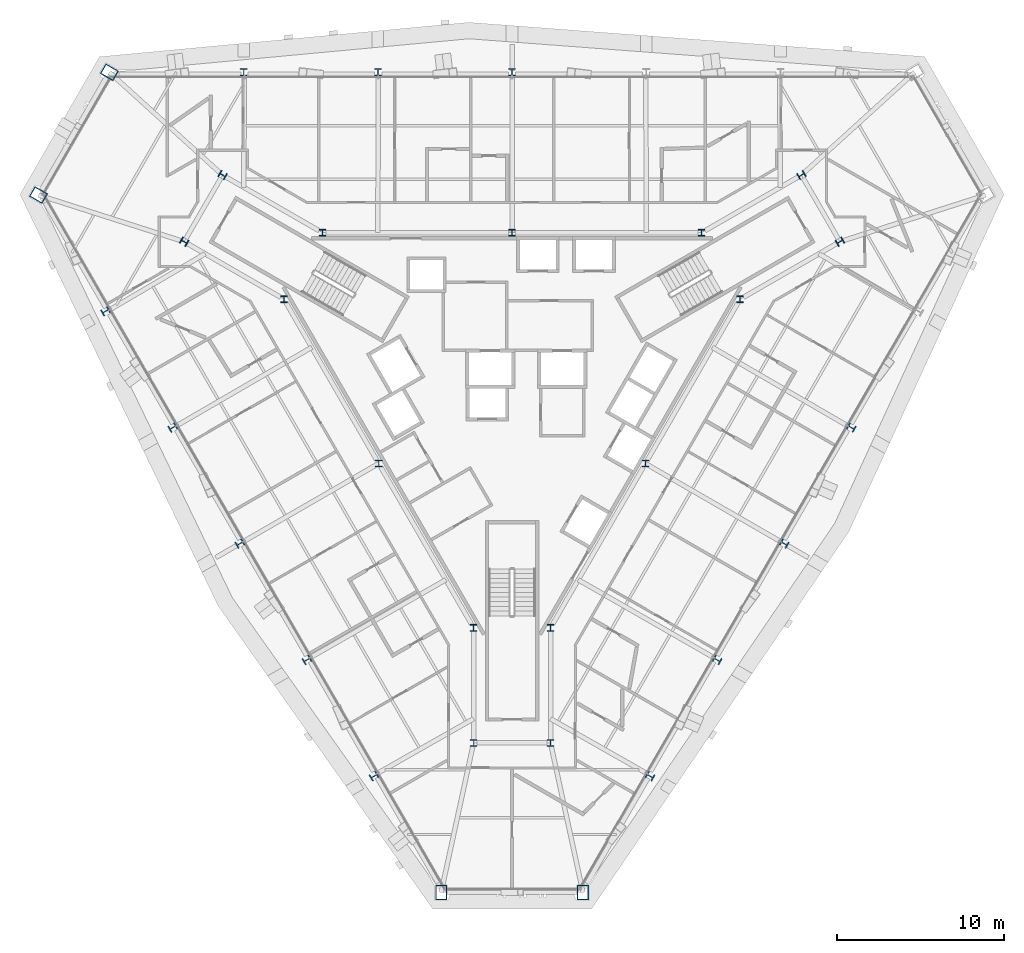
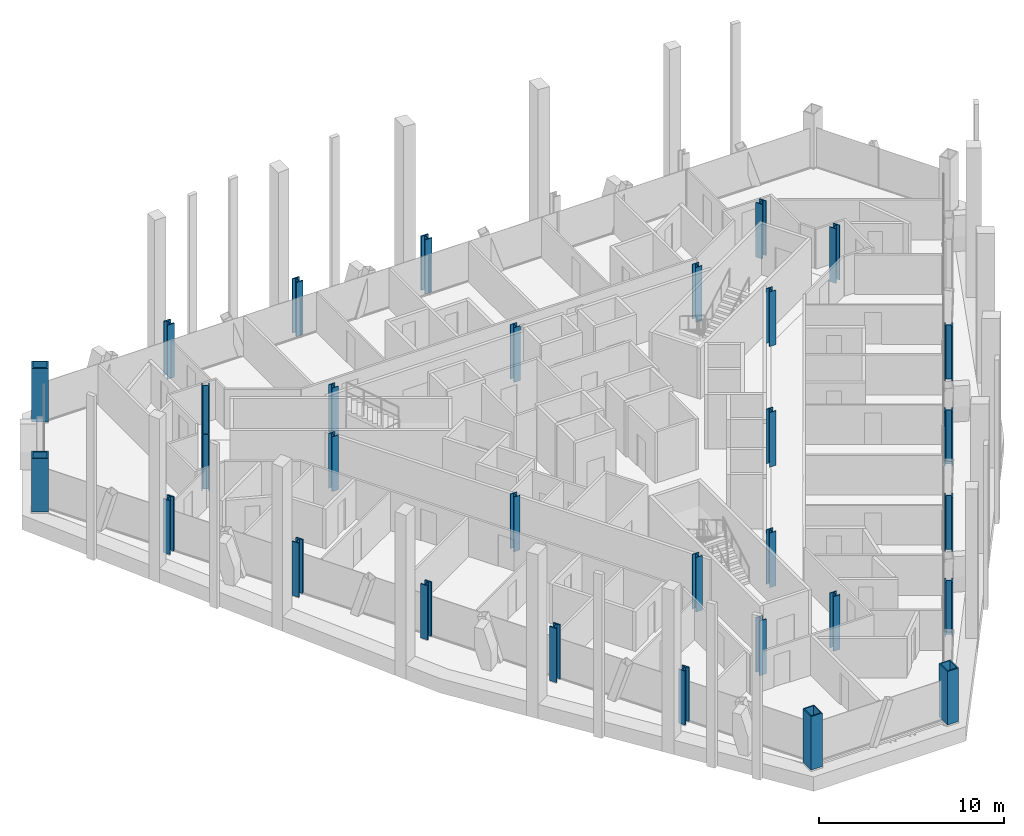
# One storey, part 1 of 16: 31 columns.
"""IFC4 building model written with IfcOpenShell, lengths in metres."""

from ifc_helpers import new_model, si_unit, direction, frame, origin, origin_2d, place, context, subcontext, project, spatial, hollow_rectangle, i_section, extrude, material, material_profile, profile_set, type_object, element, save


model = new_model("IFC4")

# Units and contexts
model_context = context("Model", 3, precision=1e-05, world=origin(), true_north=direction((0.0, 1.0)))
body_context = subcontext(model_context, "Body", "Model", "MODEL_VIEW")
ifc_project = project(units=[si_unit("LENGTHUNIT", "METRE"), si_unit("AREAUNIT", "SQUARE_METRE"), si_unit("VOLUMEUNIT", "CUBIC_METRE"), si_unit("PLANEANGLEUNIT", "RADIAN"), si_unit("MASSUNIT", "GRAM", prefix="KILO")], contexts=[model_context])

# Site, building, storey
site_placement = place(None, origin())
site = spatial("IfcSite", under=ifc_project, at=site_placement, CompositionType="ELEMENT")
building_placement = place(site_placement, origin())
building = spatial("IfcBuilding", under=site, at=building_placement, Name="Verrane Prism Tower", CompositionType="ELEMENT")
storey_placement = place(building_placement, frame((0.0, 0.0, 103.60009765625)))
storey = spatial("IfcBuildingStorey", under=building, at=storey_placement, Name="L24", CompositionType="ELEMENT", Elevation=103.60009765625)

# Columns
ifc_material_1 = material(Name="Steel A992", Category="steel")
ifc_material_profile_1 = material_profile(ifc_material_1, i_section(OverallWidth=0.411376953125, OverallDepth=0.434326171875, WebThickness=0.035888671875, FlangeThickness=0.057373046875, FilletRadius=0.01513671875, at=origin_2d()), Name="W14x311")
ifc_profile_set_1 = profile_set([ifc_material_profile_1], Name="Steel A992")
column_type_1 = type_object("IfcColumnType", Name="Core corner column W14x311", PredefinedType="COLUMN", material=ifc_profile_set_1)
for number, where, z_axis, x_axis, name in (
    (1, (19.60009765625, 8.659912109375, 0.0), (0.0, 0.0, 1.0), (0.5, -0.866025403784, 0.0), "Core corner column CK-NEm L24"),
    (2, (17.300048828125, 12.639892578125, 0.0), (0.0, 0.0, 1.0), (0.5, -0.866025403784, 0.0), "Core corner column CK-NEp L24"),
    (3, (-17.300048828125, 12.639892578125, 0.0), (0.0, 0.0, 1.0), (0.5, 0.866025403784, 0.0), "Core corner column CK-NWm L24"),
    (4, (-19.60009765625, 8.659912109375, 0.0), (0.0, 0.0, 1.0), (0.5, 0.866025403784, 0.0), "Core corner column CK-NWp L24"),
    (5, (-2.300048828125, -21.300048828125, 0.0), (0.0, 0.0, 1.0), (-1.0, 0.0, 0.0), "Core corner column CK-Sm L24"),
    (6, (2.300048828125, -21.300048828125, 0.0), (0.0, 0.0, 1.0), (-1.0, 0.0, 0.0), "Core corner column CK-Sp L24"),
):
    element("IfcColumn", number, at=place(storey_placement, frame(where, z_axis=z_axis, x_axis=x_axis)), inside=storey, type_object=column_type_1, Name=name, PredefinedType="COLUMN", context=body_context, shape_type="SweptSolid", body=[
        extrude(i_section(OverallWidth=0.411376953125, OverallDepth=0.434326171875, WebThickness=0.035888671875, FlangeThickness=0.057373046875, FilletRadius=0.01513671875, at=origin_2d()), origin(), (0.0, 0.0, 1.0), 3.599853515625),
    ])
ifc_material_2 = material(Name="Steel A992", Category="steel")
ifc_material_profile_2 = material_profile(ifc_material_2, i_section(OverallWidth=0.4013671875, OverallDepth=0.398681640625, WebThickness=0.02490234375, FlangeThickness=0.03955078125, FilletRadius=0.01513671875, at=origin_2d()), Name="W14x211")
ifc_profile_set_2 = profile_set([ifc_material_profile_2], Name="Steel A992")
column_type_2 = type_object("IfcColumnType", Name="Core side column W14x211", PredefinedType="COLUMN", material=ifc_profile_set_2)
for number, where, z_axis, x_axis, name in (
    (7, (13.6298828125, 5.219970703125, 0.0), (0.0, 0.0, 1.0), (1.0, 0.0, 0.0), "Core side column CC-NEm L24"),
    (8, (11.330078125, 9.199951171875, 0.0), (0.0, 0.0, 1.0), (1.0, 0.0, 0.0), "Core side column CC-NEp L24"),
    (9, (0.0, 9.199951171875, 0.0), (0.0, 0.0, 1.0), (1.0, 0.0, 0.0), "Core side column CC-N0 L24"),
    (10, (-11.330078125, 9.199951171875, 0.0), (0.0, 0.0, 1.0), (1.0, 0.0, 0.0), "Core side column CC-NWm L24"),
    (11, (-13.6298828125, 5.219970703125, 0.0), (0.0, 0.0, 1.0), (1.0, 0.0, 0.0), "Core side column CC-NWp L24"),
    (12, (-7.969970703125, -4.60009765625, 0.0), (0.0, 0.0, 1.0), (1.0, 0.0, 0.0), "Core side column CC-SW0 L24"),
    (13, (-2.300048828125, -14.419921875, 0.0), (0.0, 0.0, 1.0), (1.0, 0.0, 0.0), "Core side column CC-Sm L24"),
    (14, (2.300048828125, -14.419921875, 0.0), (0.0, 0.0, 1.0), (1.0, 0.0, 0.0), "Core side column CC-Sp L24"),
    (15, (7.969970703125, -4.60009765625, 0.0), (0.0, 0.0, 1.0), (1.0, 0.0, 0.0), "Core side column CC-SE0 L24"),
):
    element("IfcColumn", number, at=place(storey_placement, frame(where, z_axis=z_axis, x_axis=x_axis)), inside=storey, type_object=column_type_2, Name=name, PredefinedType="COLUMN", context=body_context, shape_type="SweptSolid", body=[
        extrude(i_section(OverallWidth=0.4013671875, OverallDepth=0.398681640625, WebThickness=0.02490234375, FlangeThickness=0.03955078125, FilletRadius=0.01513671875, at=origin_2d()), origin(), (0.0, 0.0, 1.0), 3.599853515625),
    ])
ifc_material_3 = material(Name="Steel A572 Grade 50", Category="steel")
ifc_material_profile_3 = material_profile(ifc_material_3, hollow_rectangle(XDim=0.699951171875, YDim=0.89990234375, WallThickness=0.06494140625, at=origin_2d()), Name="BOX 900x700x65")
ifc_profile_set_3 = profile_set([ifc_material_profile_3], Name="Steel A572 Grade 50")
column_type_3 = type_object("IfcColumnType", Name="Megacolumn BOX 900x700x65", PredefinedType="COLUMN", material=ifc_profile_set_3)
for number, where, z_axis, x_axis, name in (
    (16, (-24.070068359375, 18.7900390625, 0.074951171875), (0.0, 0.0, 1.0), (0.5, 0.866025403784, 0.0), "Megacolumn MC-NW.a L24"),
    (17, (-28.31005859375, 11.449951171875, 0.074951171875), (0.0, 0.0, 1.0), (0.5, 0.866025403784, 0.0), "Megacolumn MC-NW.b L24"),
    (18, (-4.239990234375, -30.239990234375, 0.074951171875), (0.0, 0.0, 1.0), (-1.0, 0.0, 0.0), "Megacolumn MC-S.a L24"),
    (19, (4.239990234375, -30.239990234375, 0.074951171875), (0.0, 0.0, 1.0), (-1.0, 0.0, 0.0), "Megacolumn MC-S.b L24"),
):
    element("IfcColumn", number, at=place(storey_placement, frame(where, z_axis=z_axis, x_axis=x_axis)), inside=storey, type_object=column_type_3, Name=name, PredefinedType="COLUMN", context=body_context, shape_type="SweptSolid", body=[
        extrude(hollow_rectangle(XDim=0.699951171875, YDim=0.89990234375, WallThickness=0.06494140625, at=origin_2d()), origin(), (0.0, 0.0, 1.0), 3.52490234375),
    ])
ifc_material_4 = material(Name="Steel A992", Category="steel")
ifc_material_profile_4 = material_profile(ifc_material_4, i_section(OverallWidth=0.424072265625, OverallDepth=0.47509765625, WebThickness=0.0478515625, FlangeThickness=0.0771484375, FilletRadius=0.014892578125, at=origin_2d()), Name="W14x426")
ifc_profile_set_4 = profile_set([ifc_material_profile_4], Name="Steel A992")
column_type_4 = type_object("IfcColumnType", Name="Perimeter column W14x426", PredefinedType="COLUMN", material=ifc_profile_set_4)
column_1_placement = place(storey_placement, frame((0.0, 18.7900390625, 0.034912109375), z_axis=(0.0, 0.0, 1.0), x_axis=(1.0, 0.0, 0.0)))
element("IfcColumn", 20, at=column_1_placement, inside=storey, type_object=column_type_4, Name="Perimeter column PC-N3 L24", PredefinedType="COLUMN", context=body_context, shape_type="SweptSolid", body=[
    extrude(i_section(OverallWidth=0.424072265625, OverallDepth=0.47509765625, WebThickness=0.0478515625, FlangeThickness=0.0771484375, FilletRadius=0.014892578125, at=origin_2d()), origin(), (0.0, 0.0, 1.0), 3.56494140625),
])
column_2_placement = place(storey_placement, frame((-8.02001953125, 18.7900390625, 0.039794921875), z_axis=(0.0, 0.0, 1.0), x_axis=(1.0, 0.0, 0.0)))
element("IfcColumn", 21, at=column_2_placement, inside=storey, type_object=column_type_4, Name="Perimeter column PC-N4 L24", PredefinedType="COLUMN", context=body_context, shape_type="SweptSolid", body=[
    extrude(i_section(OverallWidth=0.424072265625, OverallDepth=0.47509765625, WebThickness=0.0478515625, FlangeThickness=0.0771484375, FilletRadius=0.014892578125, at=origin_2d()), origin(), (0.0, 0.0, 1.0), 3.56005859375),
])
for number, where, z_axis, x_axis, name in (
    (22, (-16.0400390625, 18.7900390625, 0.044921875), (0.0, 0.0, 1.0), (1.0, 0.0, 0.0), "Perimeter column PC-N5 L24"),
    (23, (-24.300048828125, 4.5, 0.044921875), (0.0, 0.0, 1.0), (-0.5, 0.866025403784, 0.0), "Perimeter column PC-SW1 L24"),
):
    element("IfcColumn", number, at=place(storey_placement, frame(where, z_axis=z_axis, x_axis=x_axis)), inside=storey, type_object=column_type_4, Name=name, PredefinedType="COLUMN", context=body_context, shape_type="SweptSolid", body=[
        extrude(i_section(OverallWidth=0.424072265625, OverallDepth=0.47509765625, WebThickness=0.0478515625, FlangeThickness=0.0771484375, FilletRadius=0.014892578125, at=origin_2d()), origin(), (0.0, 0.0, 1.0), 3.554931640625),
    ])
column_3_placement = place(storey_placement, frame((-20.280029296875, -2.449951171875, 0.039794921875), z_axis=(0.0, 0.0, 1.0), x_axis=(-0.5, 0.866025403784, 0.0)))
element("IfcColumn", 24, at=column_3_placement, inside=storey, type_object=column_type_4, Name="Perimeter column PC-SW2 L24", PredefinedType="COLUMN", context=body_context, shape_type="SweptSolid", body=[
    extrude(i_section(OverallWidth=0.424072265625, OverallDepth=0.47509765625, WebThickness=0.0478515625, FlangeThickness=0.0771484375, FilletRadius=0.014892578125, at=origin_2d()), origin(), (0.0, 0.0, 1.0), 3.56005859375),
])
column_4_placement = place(storey_placement, frame((-16.27001953125, -9.389892578125, 0.034912109375), z_axis=(0.0, 0.0, 1.0), x_axis=(-0.5, 0.866025403784, 0.0)))
element("IfcColumn", 25, at=column_4_placement, inside=storey, type_object=column_type_4, Name="Perimeter column PC-SW3 L24", PredefinedType="COLUMN", context=body_context, shape_type="SweptSolid", body=[
    extrude(i_section(OverallWidth=0.424072265625, OverallDepth=0.47509765625, WebThickness=0.0478515625, FlangeThickness=0.0771484375, FilletRadius=0.014892578125, at=origin_2d()), origin(), (0.0, 0.0, 1.0), 3.56494140625),
])
column_5_placement = place(storey_placement, frame((-12.260009765625, -16.340087890625, 0.039794921875), z_axis=(0.0, 0.0, 1.0), x_axis=(-0.5, 0.866025403784, 0.0)))
element("IfcColumn", 26, at=column_5_placement, inside=storey, type_object=column_type_4, Name="Perimeter column PC-SW4 L24", PredefinedType="COLUMN", context=body_context, shape_type="SweptSolid", body=[
    extrude(i_section(OverallWidth=0.424072265625, OverallDepth=0.47509765625, WebThickness=0.0478515625, FlangeThickness=0.0771484375, FilletRadius=0.014892578125, at=origin_2d()), origin(), (0.0, 0.0, 1.0), 3.56005859375),
])
for number, where, z_axis, x_axis, name in (
    (27, (-8.25, -23.2900390625, 0.044921875), (0.0, 0.0, 1.0), (-0.5, 0.866025403784, 0.0), "Perimeter column PC-SW5 L24"),
    (28, (8.25, -23.2900390625, 0.044921875), (0.0, 0.0, 1.0), (-0.5, -0.866025403784, 0.0), "Perimeter column PC-SE1 L24"),
):
    element("IfcColumn", number, at=place(storey_placement, frame(where, z_axis=z_axis, x_axis=x_axis)), inside=storey, type_object=column_type_4, Name=name, PredefinedType="COLUMN", context=body_context, shape_type="SweptSolid", body=[
        extrude(i_section(OverallWidth=0.424072265625, OverallDepth=0.47509765625, WebThickness=0.0478515625, FlangeThickness=0.0771484375, FilletRadius=0.014892578125, at=origin_2d()), origin(), (0.0, 0.0, 1.0), 3.554931640625),
    ])
column_6_placement = place(storey_placement, frame((12.260009765625, -16.340087890625, 0.039794921875), z_axis=(0.0, 0.0, 1.0), x_axis=(-0.5, -0.866025403784, 0.0)))
element("IfcColumn", 29, at=column_6_placement, inside=storey, type_object=column_type_4, Name="Perimeter column PC-SE2 L24", PredefinedType="COLUMN", context=body_context, shape_type="SweptSolid", body=[
    extrude(i_section(OverallWidth=0.424072265625, OverallDepth=0.47509765625, WebThickness=0.0478515625, FlangeThickness=0.0771484375, FilletRadius=0.014892578125, at=origin_2d()), origin(), (0.0, 0.0, 1.0), 3.56005859375),
])
column_7_placement = place(storey_placement, frame((16.27001953125, -9.389892578125, 0.034912109375), z_axis=(0.0, 0.0, 1.0), x_axis=(-0.5, -0.866025403784, 0.0)))
element("IfcColumn", 30, at=column_7_placement, inside=storey, type_object=column_type_4, Name="Perimeter column PC-SE3 L24", PredefinedType="COLUMN", context=body_context, shape_type="SweptSolid", body=[
    extrude(i_section(OverallWidth=0.424072265625, OverallDepth=0.47509765625, WebThickness=0.0478515625, FlangeThickness=0.0771484375, FilletRadius=0.014892578125, at=origin_2d()), origin(), (0.0, 0.0, 1.0), 3.56494140625),
])
column_8_placement = place(storey_placement, frame((20.280029296875, -2.449951171875, 0.039794921875), z_axis=(0.0, 0.0, 1.0), x_axis=(-0.5, -0.866025403784, 0.0)))
element("IfcColumn", 31, at=column_8_placement, inside=storey, type_object=column_type_4, Name="Perimeter column PC-SE4 L24", PredefinedType="COLUMN", context=body_context, shape_type="SweptSolid", body=[
    extrude(i_section(OverallWidth=0.424072265625, OverallDepth=0.47509765625, WebThickness=0.0478515625, FlangeThickness=0.0771484375, FilletRadius=0.014892578125, at=origin_2d()), origin(), (0.0, 0.0, 1.0), 3.56005859375),
])

save(model, "model.ifc")
